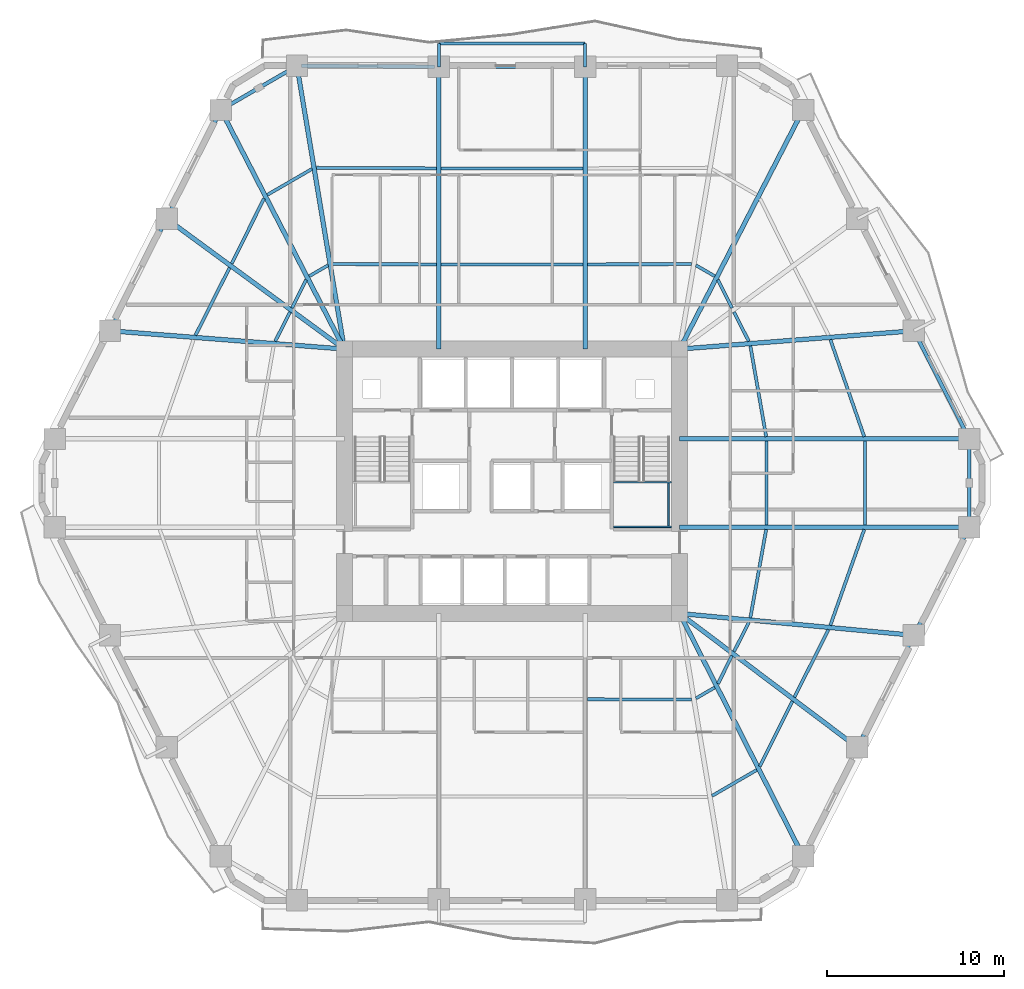
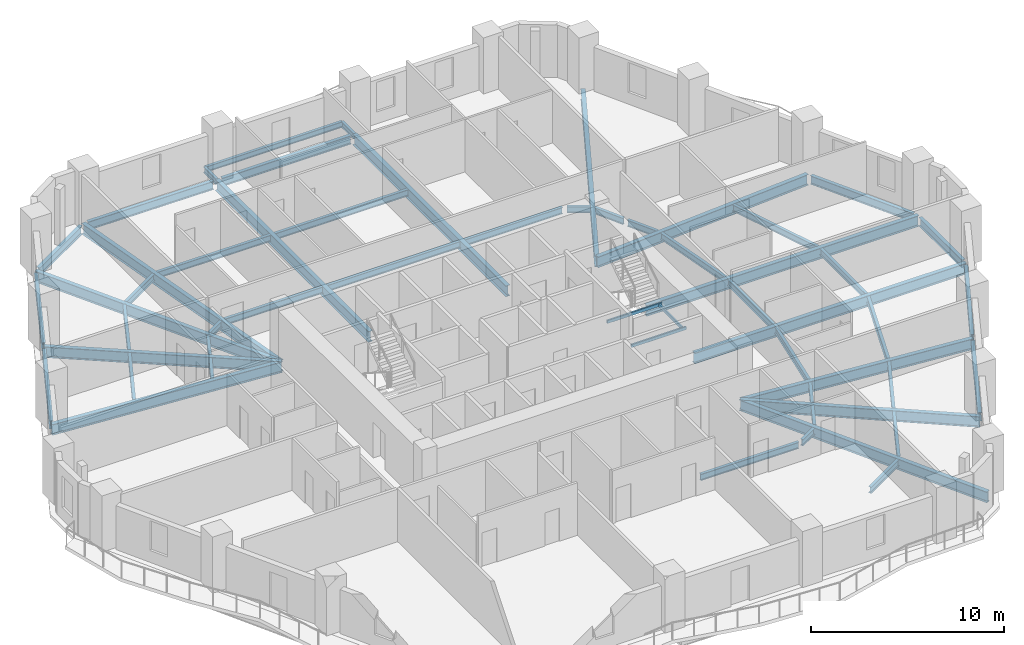
# One storey, part 2 of 11: 55 beams.
"""IFC4 building model written with IfcOpenShell, lengths in metres."""

from ifc_helpers import new_model, si_unit, direction, frame, origin, origin_2d, place, context, subcontext, project, spatial, hollow_rectangle, i_section, extrude, material, material_profile, profile_set, type_object, element, save


model = new_model("IFC4")

# Units and contexts
model_context = context("Model", 3, precision=1e-05, world=origin(), true_north=direction((0.0, 1.0)))
body_context = subcontext(model_context, "Body", "Model", "MODEL_VIEW")
ifc_project = project(units=[si_unit("LENGTHUNIT", "METRE"), si_unit("AREAUNIT", "SQUARE_METRE"), si_unit("VOLUMEUNIT", "CUBIC_METRE"), si_unit("PLANEANGLEUNIT", "RADIAN"), si_unit("MASSUNIT", "GRAM", prefix="KILO")], contexts=[model_context])

# Site, building, storey
site_placement = place(None, origin())
site = spatial("IfcSite", under=ifc_project, at=site_placement, CompositionType="ELEMENT")
building_placement = place(site_placement, origin())
building = spatial("IfcBuilding", under=site, at=building_placement, Name="Cinnabar Lancet Tower", CompositionType="ELEMENT")
storey_placement = place(building_placement, frame((0.0, 0.0, 42.64990234375)))
storey = spatial("IfcBuildingStorey", under=building, at=storey_placement, Name="L10", CompositionType="ELEMENT", Elevation=42.64990234375)

# Beams
ifc_material_1 = material(Name="Structural steel S355", Category="steel")
ifc_material_profile_1 = material_profile(ifc_material_1, i_section(OverallWidth=0.177978515625, OverallDepth=0.406494140625, WebThickness=0.0078125, FlangeThickness=0.0126953125, FilletRadius=0.01025390625, at=origin_2d()), Name="UKB 406x178x60")
ifc_profile_set_1 = profile_set([ifc_material_profile_1], Name="Structural steel S355")
beam_type_1 = type_object("IfcBeamType", Name="STR-BM-JST-406", PredefinedType="JOIST", material=ifc_profile_set_1)
beam_1_placement = place(storey_placement, frame((36.64892578125, 13.616943359375, -0.4228515625), z_axis=(0.999996783932, -0.002536163472, 0.0), x_axis=(0.002536163472, 0.999996783932, 0.0)))
element("IfcBeam", 1, at=beam_1_placement, inside=storey, type_object=beam_type_1, Name="L10 Secondary Floor Joist 14", PredefinedType="JOIST", context=body_context, shape_type="SweptSolid", body=[
    extrude(i_section(OverallWidth=0.177978515625, OverallDepth=0.406494140625, WebThickness=0.0078125, FlangeThickness=0.0126953125, FilletRadius=0.01025390625, at=origin_2d()), origin(), (0.0, 0.0, 1.0), 5.8720703125),
])
beam_2_placement = place(storey_placement, frame((43.674072265625, 8.175048828125, -0.4228515625), z_axis=(0.865209684948, 0.501410212373, 0.0), x_axis=(-0.501410212373, 0.865209684948, 0.0)))
element("IfcBeam", 2, at=beam_2_placement, inside=storey, type_object=beam_type_1, Name="L10 Secondary Floor Joist 15", PredefinedType="JOIST", context=body_context, shape_type="SweptSolid", body=[
    extrude(i_section(OverallWidth=0.177978515625, OverallDepth=0.406494140625, WebThickness=0.0078125, FlangeThickness=0.0126953125, FilletRadius=0.01025390625, at=origin_2d()), origin(), (0.0, 0.0, 1.0), 2.90771484375),
])
beam_3_placement = place(storey_placement, frame((42.76708984375, 13.669921875, -0.4228515625), z_axis=(0.865417177575, 0.50105200205, 0.0), x_axis=(-0.50105200205, 0.865417177575, 0.0)))
element("IfcBeam", 3, at=beam_3_placement, inside=storey, type_object=beam_type_1, Name="L10 Secondary Floor Joist 16", PredefinedType="JOIST", context=body_context, shape_type="SweptSolid", body=[
    extrude(i_section(OverallWidth=0.177978515625, OverallDepth=0.406494140625, WebThickness=0.0078125, FlangeThickness=0.0126953125, FilletRadius=0.01025390625, at=origin_2d()), origin(), (0.0, 0.0, 1.0), 1.223388671875),
])
beam_4_placement = place(storey_placement, frame((46.3701171875, 9.837890625, -0.4228515625), z_axis=(0.445807799253, 0.895128709251, 0.0), x_axis=(-0.895128709251, 0.445807799253, 0.0)))
element("IfcBeam", 4, at=beam_4_placement, inside=storey, type_object=beam_type_1, Name="L10 Secondary Floor Joist 17", PredefinedType="JOIST", context=body_context, shape_type="SweptSolid", body=[
    extrude(i_section(OverallWidth=0.177978515625, OverallDepth=0.406494140625, WebThickness=0.0078125, FlangeThickness=0.0126953125, FilletRadius=0.01025390625, at=origin_2d()), origin(), (0.0, 0.0, 1.0), 4.10009765625),
])
beam_5_placement = place(storey_placement, frame((44.006103515625, 14.488037109375, -0.4228515625), z_axis=(0.445778141453, 0.895143479339, 0.0), x_axis=(-0.895143479339, 0.445778141453, 0.0)))
element("IfcBeam", 5, at=beam_5_placement, inside=storey, type_object=beam_type_1, Name="L10 Secondary Floor Joist 18", PredefinedType="JOIST", context=body_context, shape_type="SweptSolid", body=[
    extrude(i_section(OverallWidth=0.177978515625, OverallDepth=0.406494140625, WebThickness=0.0078125, FlangeThickness=0.0126953125, FilletRadius=0.01025390625, at=origin_2d()), origin(), (0.0, 0.0, 1.0), 1.76953125),
])
beam_6_placement = place(storey_placement, frame((48.31396484375, 13.739013671875, -0.4228515625), z_axis=(0.450763900798, 0.892643213012, 0.0), x_axis=(-0.892643213012, 0.450763900798, 0.0)))
element("IfcBeam", 6, at=beam_6_placement, inside=storey, type_object=beam_type_1, Name="L10 Secondary Floor Joist 19", PredefinedType="JOIST", context=body_context, shape_type="SweptSolid", body=[
    extrude(i_section(OverallWidth=0.177978515625, OverallDepth=0.406494140625, WebThickness=0.0078125, FlangeThickness=0.0126953125, FilletRadius=0.01025390625, at=origin_2d()), origin(), (0.0, 0.0, 1.0), 4.25927734375),
])
beam_7_placement = place(storey_placement, frame((44.910888671875, 16.302978515625, -0.4228515625), z_axis=(0.450737053799, 0.892656769611, 0.0), x_axis=(-0.892656769611, 0.450737053799, 0.0)))
element("IfcBeam", 7, at=beam_7_placement, inside=storey, type_object=beam_type_1, Name="L10 Secondary Floor Joist 20", PredefinedType="JOIST", context=body_context, shape_type="SweptSolid", body=[
    extrude(i_section(OverallWidth=0.177978515625, OverallDepth=0.406494140625, WebThickness=0.0078125, FlangeThickness=0.0126953125, FilletRadius=0.01025390625, at=origin_2d()), origin(), (0.0, 0.0, 1.0), 1.855224609375),
])
beam_8_placement = place(storey_placement, frame((50.339111328125, 17.785888671875, -0.4228515625), z_axis=(0.333384030214, 0.942791115995, 0.0), x_axis=(-0.942791115995, 0.333384030214, 0.0)))
element("IfcBeam", 8, at=beam_8_placement, inside=storey, type_object=beam_type_1, Name="L10 Secondary Floor Joist 21", PredefinedType="JOIST", context=body_context, shape_type="SweptSolid", body=[
    extrude(i_section(OverallWidth=0.177978515625, OverallDepth=0.406494140625, WebThickness=0.0078125, FlangeThickness=0.0126953125, FilletRadius=0.01025390625, at=origin_2d()), origin(), (0.0, 0.0, 1.0), 5.728759765625),
])
beam_9_placement = place(storey_placement, frame((45.8310546875, 18.2060546875, -0.4228515625), z_axis=(0.176248165752, 0.98434576449, 0.0), x_axis=(-0.98434576449, 0.176248165752, 0.0)))
element("IfcBeam", 9, at=beam_9_placement, inside=storey, type_object=beam_type_1, Name="L10 Secondary Floor Joist 22", PredefinedType="JOIST", context=body_context, shape_type="SweptSolid", body=[
    extrude(i_section(OverallWidth=0.177978515625, OverallDepth=0.406494140625, WebThickness=0.0078125, FlangeThickness=0.0126953125, FilletRadius=0.01025390625, at=origin_2d()), origin(), (0.0, 0.0, 1.0), 5.06005859375),
])
for number, where, z_axis, x_axis, name in (
    (10, (52.2939453125, 23.44091796875, -0.4228515625), (0.0, 1.0, 0.0), (-1.0, 0.0, 0.0), "L10 Secondary Floor Joist 23"),
    (11, (46.7451171875, 23.44091796875, -0.4228515625), (0.0, 1.0, 0.0), (-1.0, 0.0, 0.0), "L10 Secondary Floor Joist 24"),
):
    element("IfcBeam", number, at=place(storey_placement, frame(where, z_axis=z_axis, x_axis=x_axis)), inside=storey, type_object=beam_type_1, Name=name, PredefinedType="JOIST", context=body_context, shape_type="SweptSolid", body=[
        extrude(i_section(OverallWidth=0.177978515625, OverallDepth=0.406494140625, WebThickness=0.0078125, FlangeThickness=0.0126953125, FilletRadius=0.01025390625, at=origin_2d()), origin(), (0.0, 0.0, 1.0), 4.718017578125),
    ])
beam_10_placement = place(storey_placement, frame((52.2490234375, 28.4130859375, -0.4228515625), z_axis=(-0.329541584143, 0.944141061664, 0.0), x_axis=(-0.944141061664, -0.329541584143, 0.0)))
element("IfcBeam", 12, at=beam_10_placement, inside=storey, type_object=beam_type_1, Name="L10 Secondary Floor Joist 25", PredefinedType="JOIST", context=body_context, shape_type="SweptSolid", body=[
    extrude(i_section(OverallWidth=0.177978515625, OverallDepth=0.406494140625, WebThickness=0.0078125, FlangeThickness=0.0126953125, FilletRadius=0.01025390625, at=origin_2d()), origin(), (0.0, 0.0, 1.0), 5.795654296875),
])
beam_11_placement = place(storey_placement, frame((46.722900390625, 28.4130859375, -0.4228515625), z_axis=(-0.171608810888, 0.985165171951, 0.0), x_axis=(-0.985165171951, -0.171608810888, 0.0)))
element("IfcBeam", 13, at=beam_11_placement, inside=storey, type_object=beam_type_1, Name="L10 Secondary Floor Joist 26", PredefinedType="JOIST", context=body_context, shape_type="SweptSolid", body=[
    extrude(i_section(OverallWidth=0.177978515625, OverallDepth=0.406494140625, WebThickness=0.0078125, FlangeThickness=0.0126953125, FilletRadius=0.01025390625, at=origin_2d()), origin(), (0.0, 0.0, 1.0), 5.197021484375),
])
beam_12_placement = place(storey_placement, frame((45.7470703125, 33.781005859375, -0.4228515625), z_axis=(-0.450525338421, 0.89276364142, 0.0), x_axis=(-0.89276364142, -0.450525338421, 0.0)))
element("IfcBeam", 14, at=beam_12_placement, inside=storey, type_object=beam_type_1, Name="L10 Secondary Floor Joist 28", PredefinedType="JOIST", context=body_context, shape_type="SweptSolid", body=[
    extrude(i_section(OverallWidth=0.177978515625, OverallDepth=0.406494140625, WebThickness=0.0078125, FlangeThickness=0.0126953125, FilletRadius=0.01025390625, at=origin_2d()), origin(), (0.0, 0.0, 1.0), 1.85595703125),
])
beam_13_placement = place(storey_placement, frame((44.794921875, 35.66796875, -0.4228515625), z_axis=(-0.445778141453, 0.895143479339, 0.0), x_axis=(-0.895143479339, -0.445778141453, 0.0)))
element("IfcBeam", 15, at=beam_13_placement, inside=storey, type_object=beam_type_1, Name="L10 Secondary Floor Joist 30", PredefinedType="JOIST", context=body_context, shape_type="SweptSolid", body=[
    extrude(i_section(OverallWidth=0.177978515625, OverallDepth=0.406494140625, WebThickness=0.0078125, FlangeThickness=0.0126953125, FilletRadius=0.01025390625, at=origin_2d()), origin(), (0.0, 0.0, 1.0), 1.76953125),
])
beam_14_placement = place(storey_placement, frame((43.825927734375, 37.45703125, -0.4228515625), z_axis=(-0.865417177575, 0.50105200205, 0.0), x_axis=(-0.50105200205, -0.865417177575, 0.0)))
element("IfcBeam", 16, at=beam_14_placement, inside=storey, type_object=beam_type_1, Name="L10 Secondary Floor Joist 32", PredefinedType="JOIST", context=body_context, shape_type="SweptSolid", body=[
    extrude(i_section(OverallWidth=0.177978515625, OverallDepth=0.406494140625, WebThickness=0.0078125, FlangeThickness=0.0126953125, FilletRadius=0.01025390625, at=origin_2d()), origin(), (0.0, 0.0, 1.0), 1.223388671875),
])
beam_15_placement = place(storey_placement, frame((42.52099609375, 38.137939453125, -0.4228515625), z_axis=(-0.999996783932, -0.002536163472, 0.0), x_axis=(0.002536163472, -0.999996783932, 0.0)))
element("IfcBeam", 17, at=beam_15_placement, inside=storey, type_object=beam_type_1, Name="L10 Secondary Floor Joist 34", PredefinedType="JOIST", context=body_context, shape_type="SweptSolid", body=[
    extrude(i_section(OverallWidth=0.177978515625, OverallDepth=0.406494140625, WebThickness=0.0078125, FlangeThickness=0.0126953125, FilletRadius=0.01025390625, at=origin_2d()), origin(), (0.0, 0.0, 1.0), 5.8720703125),
])
for number, where, z_axis, x_axis, name in (
    (18, (36.39501953125, 43.531005859375, -0.4228515625), (-1.0, 0.0, 0.0), (0.0, -1.0, 0.0), "L10 Secondary Floor Joist 35"),
    (19, (36.39501953125, 38.1220703125, -0.4228515625), (-1.0, 0.0, 0.0), (0.0, -1.0, 0.0), "L10 Secondary Floor Joist 36"),
):
    element("IfcBeam", number, at=place(storey_placement, frame(where, z_axis=z_axis, x_axis=x_axis)), inside=storey, type_object=beam_type_1, Name=name, PredefinedType="JOIST", context=body_context, shape_type="SweptSolid", body=[
        extrude(i_section(OverallWidth=0.177978515625, OverallDepth=0.406494140625, WebThickness=0.0078125, FlangeThickness=0.0126953125, FilletRadius=0.01025390625, at=origin_2d()), origin(), (0.0, 0.0, 1.0), 7.989990234375),
    ])
beam_16_placement = place(storey_placement, frame((28.15087890625, 43.531982421875, -0.4228515625), z_axis=(-0.999988870422, 0.004717947923, 0.0), x_axis=(-0.004717947923, -0.999988870422, 0.0)))
element("IfcBeam", 20, at=beam_16_placement, inside=storey, type_object=beam_type_1, Name="L10 Secondary Floor Joist 37", PredefinedType="JOIST", context=body_context, shape_type="SweptSolid", body=[
    extrude(i_section(OverallWidth=0.177978515625, OverallDepth=0.406494140625, WebThickness=0.0078125, FlangeThickness=0.0126953125, FilletRadius=0.01025390625, at=origin_2d()), origin(), (0.0, 0.0, 1.0), 6.77880859375),
])
beam_17_placement = place(storey_placement, frame((28.15087890625, 38.123046875, -0.4228515625), z_axis=(-0.999996783665, 0.00253626892, 0.0), x_axis=(-0.00253626892, -0.999996783665, 0.0)))
element("IfcBeam", 21, at=beam_17_placement, inside=storey, type_object=beam_type_1, Name="L10 Secondary Floor Joist 38", PredefinedType="JOIST", context=body_context, shape_type="SweptSolid", body=[
    extrude(i_section(OverallWidth=0.177978515625, OverallDepth=0.406494140625, WebThickness=0.0078125, FlangeThickness=0.0126953125, FilletRadius=0.01025390625, at=origin_2d()), origin(), (0.0, 0.0, 1.0), 5.871826171875),
])
beam_18_placement = place(storey_placement, frame((21.1259765625, 43.4970703125, -0.4228515625), z_axis=(-0.865209684948, -0.501410212373, 0.0), x_axis=(0.501410212373, -0.865209684948, 0.0)))
element("IfcBeam", 22, at=beam_18_placement, inside=storey, type_object=beam_type_1, Name="L10 Secondary Floor Joist 39", PredefinedType="JOIST", context=body_context, shape_type="SweptSolid", body=[
    extrude(i_section(OverallWidth=0.177978515625, OverallDepth=0.406494140625, WebThickness=0.0078125, FlangeThickness=0.0126953125, FilletRadius=0.01025390625, at=origin_2d()), origin(), (0.0, 0.0, 1.0), 2.90771484375),
])
beam_19_placement = place(storey_placement, frame((22.032958984375, 38.070068359375, -0.4228515625), z_axis=(-0.865417177575, -0.50105200205, 0.0), x_axis=(0.50105200205, -0.865417177575, 0.0)))
element("IfcBeam", 23, at=beam_19_placement, inside=storey, type_object=beam_type_1, Name="L10 Secondary Floor Joist 40", PredefinedType="JOIST", context=body_context, shape_type="SweptSolid", body=[
    extrude(i_section(OverallWidth=0.177978515625, OverallDepth=0.406494140625, WebThickness=0.0078125, FlangeThickness=0.0126953125, FilletRadius=0.01025390625, at=origin_2d()), origin(), (0.0, 0.0, 1.0), 1.223388671875),
])
beam_20_placement = place(storey_placement, frame((18.429931640625, 41.8349609375, -0.4228515625), z_axis=(-0.445641523434, -0.895211501597, 0.0), x_axis=(0.895211501597, -0.445641523434, 0.0)))
element("IfcBeam", 24, at=beam_20_placement, inside=storey, type_object=beam_type_1, Name="L10 Secondary Floor Joist 41", PredefinedType="JOIST", context=body_context, shape_type="SweptSolid", body=[
    extrude(i_section(OverallWidth=0.177978515625, OverallDepth=0.406494140625, WebThickness=0.0078125, FlangeThickness=0.0126953125, FilletRadius=0.01025390625, at=origin_2d()), origin(), (0.0, 0.0, 1.0), 4.1015625),
])
beam_21_placement = place(storey_placement, frame((20.7939453125, 37.251953125, -0.4228515625), z_axis=(-0.445888683384, -0.895088421347, 0.0), x_axis=(0.895088421347, -0.445888683384, 0.0)))
element("IfcBeam", 25, at=beam_21_placement, inside=storey, type_object=beam_type_1, Name="L10 Secondary Floor Joist 42", PredefinedType="JOIST", context=body_context, shape_type="SweptSolid", body=[
    extrude(i_section(OverallWidth=0.177978515625, OverallDepth=0.406494140625, WebThickness=0.0078125, FlangeThickness=0.0126953125, FilletRadius=0.01025390625, at=origin_2d()), origin(), (0.0, 0.0, 1.0), 1.76953125),
])
beam_22_placement = place(storey_placement, frame((16.486083984375, 37.93310546875, -0.4228515625), z_axis=(-0.450901848865, -0.892573539094, 0.0), x_axis=(0.892573539094, -0.450901848865, 0.0)))
element("IfcBeam", 26, at=beam_22_placement, inside=storey, type_object=beam_type_1, Name="L10 Secondary Floor Joist 43", PredefinedType="JOIST", context=body_context, shape_type="SweptSolid", body=[
    extrude(i_section(OverallWidth=0.177978515625, OverallDepth=0.406494140625, WebThickness=0.0078125, FlangeThickness=0.0126953125, FilletRadius=0.01025390625, at=origin_2d()), origin(), (0.0, 0.0, 1.0), 4.258544921875),
])
beam_23_placement = place(storey_placement, frame((19.888916015625, 35.43798828125, -0.4228515625), z_axis=(-0.450420487985, -0.892816545547, 0.0), x_axis=(0.892816545547, -0.450420487985, 0.0)))
element("IfcBeam", 27, at=beam_23_placement, inside=storey, type_object=beam_type_1, Name="L10 Secondary Floor Joist 44", PredefinedType="JOIST", context=body_context, shape_type="SweptSolid", body=[
    extrude(i_section(OverallWidth=0.177978515625, OverallDepth=0.406494140625, WebThickness=0.0078125, FlangeThickness=0.0126953125, FilletRadius=0.01025390625, at=origin_2d()), origin(), (0.0, 0.0, 1.0), 1.85595703125),
])
ifc_material_2 = material(Name="Structural steel S355", Category="steel")
ifc_material_profile_2 = material_profile(ifc_material_2, hollow_rectangle(XDim=0.10009765625, YDim=0.199951171875, WallThickness=0.008056640625, InnerFilletRadius=0.00390625, OuterFilletRadius=0.011962890625, at=origin_2d()), Name="RHS 200x100x8")
ifc_profile_set_2 = profile_set([ifc_material_profile_2], Name="Structural steel S355")
beam_type_2 = type_object("IfcBeamType", Name="STR-BM-LND-203", PredefinedType="BEAM", material=ifc_profile_set_2)
for number, where, z_axis, x_axis, name in (
    (28, (38.1201171875, 23.330078125, 1.47509765625), (1.0, 0.0, 0.0), (0.0, 1.0, 0.0), "L10 ST-2-L10 Landing Support Beam S"),
    (29, (38.1201171875, 25.844970703125, 1.47509765625), (1.0, 0.0, 0.0), (0.0, 1.0, 0.0), "L10 ST-2-L10 Landing Support Beam N"),
):
    element("IfcBeam", number, at=place(storey_placement, frame(where, z_axis=z_axis, x_axis=x_axis)), inside=storey, type_object=beam_type_2, Name=name, PredefinedType="BEAM", context=body_context, shape_type="SweptSolid", body=[
        extrude(hollow_rectangle(XDim=0.10009765625, YDim=0.199951171875, WallThickness=0.008056640625, InnerFilletRadius=0.00390625, OuterFilletRadius=0.011962890625, at=origin_2d()), origin(), (0.0, 0.0, 1.0), 3.27978515625),
    ])
beam_24_placement = place(storey_placement, frame((41.219970703125, 23.3798828125, 1.47509765625), z_axis=(0.0, 1.0, 0.0), x_axis=(-1.0, 0.0, 0.0)))
element("IfcBeam", 30, at=beam_24_placement, inside=storey, type_object=beam_type_2, Name="L10 ST-2-L10 Landing Side Trimmer Beam", PredefinedType="BEAM", context=body_context, shape_type="SweptSolid", body=[
    extrude(hollow_rectangle(XDim=0.10009765625, YDim=0.199951171875, WallThickness=0.008056640625, InnerFilletRadius=0.00390625, OuterFilletRadius=0.011962890625, at=origin_2d()), origin(), (0.0, 0.0, 1.0), 2.4150390625),
])
ifc_material_3 = material(Name="Structural steel S355", Category="steel")
ifc_material_profile_3 = material_profile(ifc_material_3, i_section(OverallWidth=0.209228515625, OverallDepth=0.533203125, WebThickness=0.010009765625, FlangeThickness=0.015625, FilletRadius=0.0126953125, at=origin_2d()), Name="UKB 533x210x92")
ifc_profile_set_3 = profile_set([ifc_material_profile_3], Name="Structural steel S355")
beam_type_3 = type_object("IfcBeamType", Name="STR-BM-SPN-533", PredefinedType="SPANDREL", material=ifc_profile_set_3)
beam_25_placement = place(storey_placement, frame((51.971923828125, 11.132080078125, -0.48681640625), z_axis=(0.450703143926, 0.892673891214, 0.0), x_axis=(-0.892673891214, 0.450703143926, 0.0)))
element("IfcBeam", 31, at=beam_25_placement, inside=storey, type_object=beam_type_3, Name="L10 Perimeter Spandrel 6", PredefinedType="SPANDREL", context=body_context, shape_type="SweptSolid", body=[
    extrude(i_section(OverallWidth=0.209228515625, OverallDepth=0.533203125, WebThickness=0.010009765625, FlangeThickness=0.015625, FilletRadius=0.0126953125, at=origin_2d()), origin(), (0.0, 0.0, 1.0), 6.570068359375),
])
beam_26_placement = place(storey_placement, frame((55.159912109375, 17.443115234375, -0.48681640625), z_axis=(0.456024522632, 0.889967209934, 0.0), x_axis=(-0.889967209934, 0.456024522632, 0.0)))
element("IfcBeam", 32, at=beam_26_placement, inside=storey, type_object=beam_type_3, Name="L10 Perimeter Spandrel 7", PredefinedType="SPANDREL", context=body_context, shape_type="SweptSolid", body=[
    extrude(i_section(OverallWidth=0.209228515625, OverallDepth=0.533203125, WebThickness=0.010009765625, FlangeThickness=0.015625, FilletRadius=0.0126953125, at=origin_2d()), origin(), (0.0, 0.0, 1.0), 6.34619140625),
])
beam_27_placement = place(storey_placement, frame((58.16796875, 23.56396484375, -0.48681640625), z_axis=(0.0, 1.0, 0.0), x_axis=(-1.0, 0.0, 0.0)))
element("IfcBeam", 33, at=beam_27_placement, inside=storey, type_object=beam_type_3, Name="L10 Perimeter Spandrel 8", PredefinedType="SPANDREL", context=body_context, shape_type="SweptSolid", body=[
    extrude(i_section(OverallWidth=0.209228515625, OverallDepth=0.533203125, WebThickness=0.010009765625, FlangeThickness=0.015625, FilletRadius=0.0126953125, at=origin_2d()), origin(), (0.0, 0.0, 1.0), 4.471923828125),
])
beam_28_placement = place(storey_placement, frame((58.053955078125, 28.509033203125, -0.48681640625), z_axis=(-0.456024522632, 0.889967209934, 0.0), x_axis=(-0.889967209934, -0.456024522632, 0.0)))
element("IfcBeam", 34, at=beam_28_placement, inside=storey, type_object=beam_type_3, Name="L10 Perimeter Spandrel 9", PredefinedType="SPANDREL", context=body_context, shape_type="SweptSolid", body=[
    extrude(i_section(OverallWidth=0.209228515625, OverallDepth=0.533203125, WebThickness=0.010009765625, FlangeThickness=0.015625, FilletRadius=0.0126953125, at=origin_2d()), origin(), (0.0, 0.0, 1.0), 6.34619140625),
])
beam_29_placement = place(storey_placement, frame((36.27197265625, 49.258056640625, -0.48681640625), z_axis=(-1.0, 0.0, 0.0), x_axis=(0.0, -1.0, 0.0)))
element("IfcBeam", 35, at=beam_29_placement, inside=storey, type_object=beam_type_3, Name="L10 Perimeter Spandrel 14", PredefinedType="SPANDREL", context=body_context, shape_type="SweptSolid", body=[
    extrude(i_section(OverallWidth=0.209228515625, OverallDepth=0.533203125, WebThickness=0.010009765625, FlangeThickness=0.015625, FilletRadius=0.0126953125, at=origin_2d()), origin(), (0.0, 0.0, 1.0), 7.743896484375),
])
beam_30_placement = place(storey_placement, frame((28.028076171875, 49.260009765625, -0.48681640625), z_axis=(-0.99997856757, 0.006547090947, 0.0), x_axis=(-0.006547090947, -0.99997856757, 0.0)))
element("IfcBeam", 36, at=beam_30_placement, inside=storey, type_object=beam_type_3, Name="L10 Perimeter Spandrel 15", PredefinedType="SPANDREL", context=body_context, shape_type="SweptSolid", body=[
    extrude(i_section(OverallWidth=0.209228515625, OverallDepth=0.533203125, WebThickness=0.010009765625, FlangeThickness=0.015625, FilletRadius=0.0126953125, at=origin_2d()), origin(), (0.0, 0.0, 1.0), 7.495361328125),
])
beam_31_placement = place(storey_placement, frame((20.06689453125, 49.18603515625, -0.48681640625), z_axis=(-0.865147238596, -0.501517951374, 0.0), x_axis=(0.501517951374, -0.865147238596, 0.0)))
element("IfcBeam", 37, at=beam_31_placement, inside=storey, type_object=beam_type_3, Name="L10 Perimeter Spandrel 16", PredefinedType="SPANDREL", context=body_context, shape_type="SweptSolid", body=[
    extrude(i_section(OverallWidth=0.209228515625, OverallDepth=0.533203125, WebThickness=0.010009765625, FlangeThickness=0.015625, FilletRadius=0.0126953125, at=origin_2d()), origin(), (0.0, 0.0, 1.0), 4.454833984375),
])
beam_32_placement = place(storey_placement, frame((15.885986328125, 46.60302734375, -0.48681640625), z_axis=(-0.445953050023, -0.89505635419, 0.0), x_axis=(0.89505635419, -0.445953050023, 0.0)))
element("IfcBeam", 38, at=beam_32_placement, inside=storey, type_object=beam_type_3, Name="L10 Perimeter Spandrel 17", PredefinedType="SPANDREL", context=body_context, shape_type="SweptSolid", body=[
    extrude(i_section(OverallWidth=0.209228515625, OverallDepth=0.533203125, WebThickness=0.010009765625, FlangeThickness=0.015625, FilletRadius=0.0126953125, at=origin_2d()), origin(), (0.0, 0.0, 1.0), 6.35498046875),
])
beam_33_placement = place(storey_placement, frame((12.827880859375, 40.468017578125, -0.48681640625), z_axis=(-0.450673532306, -0.892688841242, 0.0), x_axis=(0.892688841242, -0.450673532306, 0.0)))
element("IfcBeam", 39, at=beam_33_placement, inside=storey, type_object=beam_type_3, Name="L10 Perimeter Spandrel 18", PredefinedType="SPANDREL", context=body_context, shape_type="SweptSolid", body=[
    extrude(i_section(OverallWidth=0.209228515625, OverallDepth=0.533203125, WebThickness=0.010009765625, FlangeThickness=0.015625, FilletRadius=0.0126953125, at=origin_2d()), origin(), (0.0, 0.0, 1.0), 6.570068359375),
])
ifc_material_4 = material(Name="Structural steel S355", Category="steel")
ifc_material_profile_4 = material_profile(ifc_material_4, i_section(OverallWidth=0.253662109375, OverallDepth=0.68359375, WebThickness=0.012451171875, FlangeThickness=0.01904296875, FilletRadius=0.01513671875, at=origin_2d()), Name="UKB 686x254x140")
ifc_profile_set_4 = profile_set([ifc_material_profile_4], Name="Structural steel S355")
beam_type_4 = type_object("IfcBeamType", Name="STR-BM-UKB686-140", PredefinedType="BEAM", material=ifc_profile_set_4)
beam_34_placement = place(storey_placement, frame((51.85888671875, 10.908935546875, -0.56201171875), z_axis=(-0.798679534026, 0.601756596912, 0.0), x_axis=(-0.601756596912, -0.798679534026, 0.0)))
element("IfcBeam", 40, at=beam_34_placement, inside=storey, type_object=beam_type_4, Name="L10 Corner Collector Girder 2", PredefinedType="BEAM", context=body_context, shape_type="SweptSolid", body=[
    extrude(i_section(OverallWidth=0.253662109375, OverallDepth=0.68359375, WebThickness=0.012451171875, FlangeThickness=0.01904296875, FilletRadius=0.01513671875, at=origin_2d()), origin(), (0.0, 0.0, 1.0), 12.53173828125),
])
beam_35_placement = place(storey_placement, frame((12.94091796875, 40.69091796875, -0.56201171875), z_axis=(0.806371852816, -0.591408856026, 0.0), x_axis=(0.591408856026, 0.806371852816, 0.0)))
element("IfcBeam", 41, at=beam_35_placement, inside=storey, type_object=beam_type_4, Name="L10 Corner Collector Girder 4", PredefinedType="BEAM", context=body_context, shape_type="SweptSolid", body=[
    extrude(i_section(OverallWidth=0.253662109375, OverallDepth=0.68359375, WebThickness=0.012451171875, FlangeThickness=0.01904296875, FilletRadius=0.01513671875, at=origin_2d()), origin(), (0.0, 0.0, 1.0), 12.412353515625),
])
beam_36_placement = place(storey_placement, frame((48.802978515625, 4.77294921875, -0.56201171875), z_axis=(-0.453167599586, 0.89142533433, 0.0), x_axis=(-0.89142533433, -0.453167599586, 0.0)))
element("IfcBeam", 42, at=beam_36_placement, inside=storey, type_object=beam_type_4, Name="L10 Primary Floor Girder 5", PredefinedType="BEAM", context=body_context, shape_type="SweptSolid", body=[
    extrude(i_section(OverallWidth=0.253662109375, OverallDepth=0.68359375, WebThickness=0.012451171875, FlangeThickness=0.01904296875, FilletRadius=0.01513671875, at=origin_2d()), origin(), (0.0, 0.0, 1.0), 15.3427734375),
])
beam_37_placement = place(storey_placement, frame((55.0458984375, 17.219970703125, -0.56201171875), z_axis=(-0.99568405159, 0.092807701238, 0.0), x_axis=(-0.092807701238, -0.99568405159, 0.0)))
element("IfcBeam", 43, at=beam_37_placement, inside=storey, type_object=beam_type_4, Name="L10 Primary Floor Girder 7", PredefinedType="BEAM", context=body_context, shape_type="SweptSolid", body=[
    extrude(i_section(OverallWidth=0.253662109375, OverallDepth=0.68359375, WebThickness=0.012451171875, FlangeThickness=0.01904296875, FilletRadius=0.01513671875, at=origin_2d()), origin(), (0.0, 0.0, 1.0), 13.2529296875),
])
for number, where, z_axis, x_axis, name in (
    (44, (58.16796875, 23.31396484375, -0.56201171875), (-1.0, 0.0, 0.0), (0.0, -1.0, 0.0), "L10 Primary Floor Girder 8"),
    (45, (58.16796875, 28.285888671875, -0.56201171875), (-1.0, 0.0, 0.0), (0.0, -1.0, 0.0), "L10 Primary Floor Girder 9"),
):
    element("IfcBeam", number, at=place(storey_placement, frame(where, z_axis=z_axis, x_axis=x_axis)), inside=storey, type_object=beam_type_4, Name=name, PredefinedType="BEAM", context=body_context, shape_type="SweptSolid", body=[
        extrude(i_section(OverallWidth=0.253662109375, OverallDepth=0.68359375, WebThickness=0.012451171875, FlangeThickness=0.01904296875, FilletRadius=0.01513671875, at=origin_2d()), origin(), (0.0, 0.0, 1.0), 16.31787109375),
    ])
beam_38_placement = place(storey_placement, frame((55.0458984375, 34.3798828125, -0.56201171875), z_axis=(-0.99696880683, -0.077802302076, 0.0), x_axis=(0.077802302076, -0.99696880683, 0.0)))
element("IfcBeam", 46, at=beam_38_placement, inside=storey, type_object=beam_type_4, Name="L10 Primary Floor Girder 10", PredefinedType="BEAM", context=body_context, shape_type="SweptSolid", body=[
    extrude(i_section(OverallWidth=0.253662109375, OverallDepth=0.68359375, WebThickness=0.012451171875, FlangeThickness=0.01904296875, FilletRadius=0.01513671875, at=origin_2d()), origin(), (0.0, 0.0, 1.0), 13.23583984375),
])
beam_39_placement = place(storey_placement, frame((48.802978515625, 46.826904296875, -0.56201171875), z_axis=(-0.458492410387, -0.888698323177, 0.0), x_axis=(0.888698323177, -0.458492410387, 0.0)))
element("IfcBeam", 47, at=beam_39_placement, inside=storey, type_object=beam_type_4, Name="L10 Primary Floor Girder 12", PredefinedType="BEAM", context=body_context, shape_type="SweptSolid", body=[
    extrude(i_section(OverallWidth=0.253662109375, OverallDepth=0.68359375, WebThickness=0.012451171875, FlangeThickness=0.01904296875, FilletRadius=0.01513671875, at=origin_2d()), origin(), (0.0, 0.0, 1.0), 15.16455078125),
])
for number, where, z_axis, x_axis, name in (
    (48, (36.52197265625, 49.258056640625, -0.56201171875), (0.0, -1.0, 0.0), (1.0, 0.0, 0.0), "L10 Primary Floor Girder 14"),
    (49, (28.278076171875, 49.258056640625, -0.56201171875), (0.0, -1.0, 0.0), (1.0, 0.0, 0.0), "L10 Primary Floor Girder 15"),
):
    element("IfcBeam", number, at=place(storey_placement, frame(where, z_axis=z_axis, x_axis=x_axis)), inside=storey, type_object=beam_type_4, Name=name, PredefinedType="BEAM", context=body_context, shape_type="SweptSolid", body=[
        extrude(i_section(OverallWidth=0.253662109375, OverallDepth=0.68359375, WebThickness=0.012451171875, FlangeThickness=0.01904296875, FilletRadius=0.01513671875, at=origin_2d()), origin(), (0.0, 0.0, 1.0), 15.907958984375),
    ])
beam_40_placement = place(storey_placement, frame((20.282958984375, 49.31103515625, -0.56201171875), z_axis=(0.164809990854, -0.986325335229, 0.0), x_axis=(0.986325335229, 0.164809990854, 0.0)))
element("IfcBeam", 50, at=beam_40_placement, inside=storey, type_object=beam_type_4, Name="L10 Primary Floor Girder 16", PredefinedType="BEAM", context=body_context, shape_type="SweptSolid", body=[
    extrude(i_section(OverallWidth=0.253662109375, OverallDepth=0.68359375, WebThickness=0.012451171875, FlangeThickness=0.01904296875, FilletRadius=0.01513671875, at=origin_2d()), origin(), (0.0, 0.0, 1.0), 16.18212890625),
])
beam_41_placement = place(storey_placement, frame((15.9970703125, 46.826904296875, -0.56201171875), z_axis=(0.458492410387, -0.888698323177, 0.0), x_axis=(0.888698323177, 0.458492410387, 0.0)))
element("IfcBeam", 51, at=beam_41_placement, inside=storey, type_object=beam_type_4, Name="L10 Primary Floor Girder 17", PredefinedType="BEAM", context=body_context, shape_type="SweptSolid", body=[
    extrude(i_section(OverallWidth=0.253662109375, OverallDepth=0.68359375, WebThickness=0.012451171875, FlangeThickness=0.01904296875, FilletRadius=0.01513671875, at=origin_2d()), origin(), (0.0, 0.0, 1.0), 15.16455078125),
])
beam_42_placement = place(storey_placement, frame((9.75390625, 34.3798828125, -0.56201171875), z_axis=(0.99696891848, -0.077800871365, 0.0), x_axis=(0.077800871365, 0.99696891848, 0.0)))
element("IfcBeam", 52, at=beam_42_placement, inside=storey, type_object=beam_type_4, Name="L10 Primary Floor Girder 19", PredefinedType="BEAM", context=body_context, shape_type="SweptSolid", body=[
    extrude(i_section(OverallWidth=0.253662109375, OverallDepth=0.68359375, WebThickness=0.012451171875, FlangeThickness=0.01904296875, FilletRadius=0.01513671875, at=origin_2d()), origin(), (0.0, 0.0, 1.0), 13.236083984375),
])
ifc_material_5 = material(Name="Structural steel S355", Category="steel")
ifc_material_profile_5 = material_profile(ifc_material_5, i_section(OverallWidth=0.17138671875, OverallDepth=0.35498046875, WebThickness=0.00732421875, FlangeThickness=0.011474609375, FilletRadius=0.01025390625, at=origin_2d()), Name="UKB 356x171x51")
ifc_profile_set_5 = profile_set([ifc_material_profile_5], Name="Structural steel S355")
beam_type_5 = type_object("IfcBeamType", Name="STR-BM-WAV-OUT", PredefinedType="BEAM", material=ifc_profile_set_5)
for number, where, z_axis, x_axis, name in (
    (53, (36.52197265625, 49.258056640625, -0.39794921875), (0.0, 1.0, 0.0), (-1.0, 0.0, 0.0), "L10 Face 4 Balcony Outlooker A"),
    (54, (28.278076171875, 49.258056640625, -0.39794921875), (0.0, 1.0, 0.0), (-1.0, 0.0, 0.0), "L10 Face 4 Balcony Outlooker B"),
):
    element("IfcBeam", number, at=place(storey_placement, frame(where, z_axis=z_axis, x_axis=x_axis)), inside=storey, type_object=beam_type_5, Name=name, PredefinedType="BEAM", context=body_context, shape_type="SweptSolid", body=[
        extrude(i_section(OverallWidth=0.17138671875, OverallDepth=0.35498046875, WebThickness=0.00732421875, FlangeThickness=0.011474609375, FilletRadius=0.01025390625, at=origin_2d()), origin(), (0.0, 0.0, 1.0), 1.300048828125),
    ])
ifc_material_6 = material(Name="Structural steel S355", Category="steel")
ifc_material_profile_6 = material_profile(ifc_material_6, i_section(OverallWidth=0.17138671875, OverallDepth=0.35498046875, WebThickness=0.00732421875, FlangeThickness=0.011474609375, FilletRadius=0.01025390625, at=origin_2d()), Name="UKB 356x171x51")
ifc_profile_set_6 = profile_set([ifc_material_profile_6], Name="Structural steel S355")
beam_type_6 = type_object("IfcBeamType", Name="STR-BM-WAV-TRIM", PredefinedType="SPANDREL", material=ifc_profile_set_6)
beam_43_placement = place(storey_placement, frame((36.52197265625, 50.55810546875, -0.39794921875), z_axis=(-1.0, 0.0, 0.0), x_axis=(0.0, -1.0, 0.0)))
element("IfcBeam", 55, at=beam_43_placement, inside=storey, type_object=beam_type_6, Name="L10 Face 4 Balcony Edge Trimmer", PredefinedType="SPANDREL", context=body_context, shape_type="SweptSolid", body=[
    extrude(i_section(OverallWidth=0.17138671875, OverallDepth=0.35498046875, WebThickness=0.00732421875, FlangeThickness=0.011474609375, FilletRadius=0.01025390625, at=origin_2d()), origin(), (0.0, 0.0, 1.0), 8.243896484375),
])

save(model, "model.ifc")
